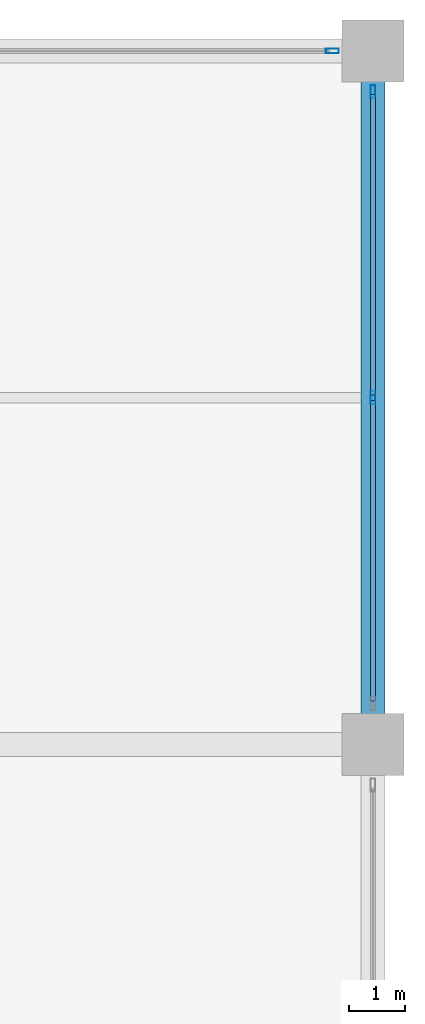
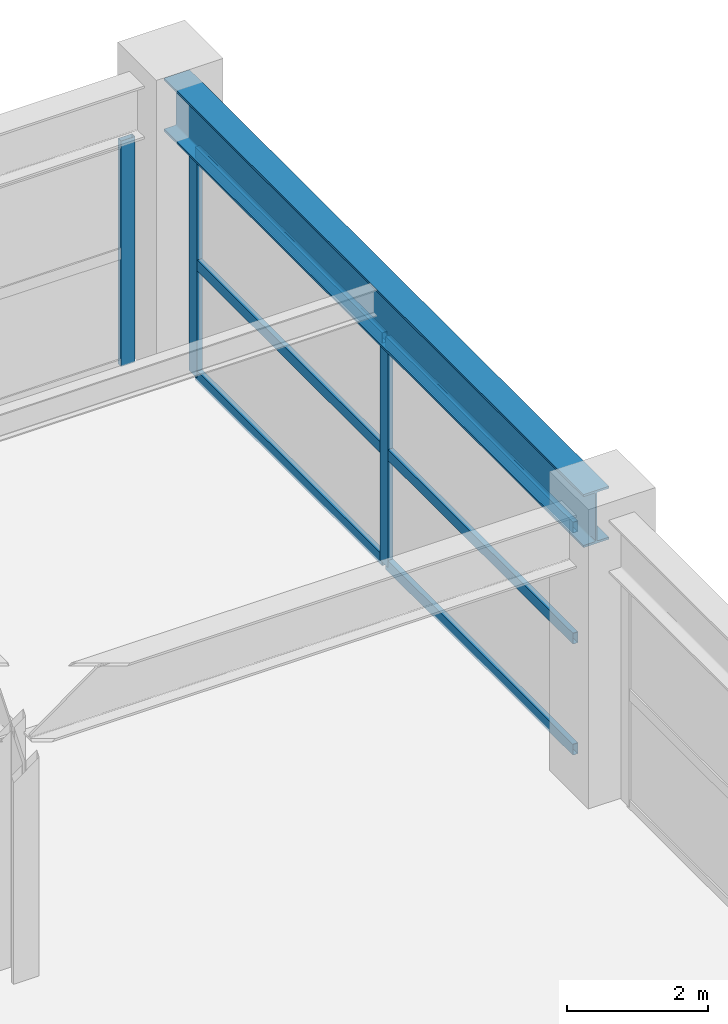
# One storey, part 34 of 45: 9 members, 1 beam, 2 elements without a shape of their own.
"""IFC4 building model written with IfcOpenShell, lengths in metres."""

import ifcopenshell
import ifcopenshell.guid

model = None  # the IFC model being written
_history = None  # IfcOwnerHistory: only IFC2X3 demands one
_inside = {}  # id of a spatial element -> (the spatial element, [elements in it])
_under = {}  # id of a project, library or spatial element -> (it, [spatial elements below it])
_declared = {}  # id of a project -> (the project, [libraries it declares])
_typed = {}  # id of a type object -> (the type object, [elements of that type])
_made_of = {}  # id of a material, layer set ... -> (it, [elements and type objects made of it])


def new_model(schema):
    """Start an empty IFC model of exactly this schema.

    Asked for "IFC4X3", IfcOpenShell would pick the latest addendum, in which some entities
    have other attributes; the version numbers below select the first issue.
    IFC2X3 requires an IfcOwnerHistory on every rooted entity: one is made here for all.
    """
    global model, _history
    if schema == "IFC4X3":
        model = ifcopenshell.file(schema_version=(4, 3, 0, 0))
    else:
        model = ifcopenshell.file(schema=schema)
    _inside.clear()
    _under.clear()
    _declared.clear()
    _typed.clear()
    _made_of.clear()
    _history = None
    if model.schema == "IFC2X3":
        org = make("IfcOrganization", Name="unknown")
        user = make(
            "IfcPersonAndOrganization",
            ThePerson=make("IfcPerson", FamilyName="unknown"),
            TheOrganization=org,
        )
        app = make(
            "IfcApplication",
            ApplicationDeveloper=org,
            Version="unknown",
            ApplicationFullName="unknown",
            ApplicationIdentifier="unknown",
        )
        _history = make(
            "IfcOwnerHistory",
            OwningUser=user,
            OwningApplication=app,
            ChangeAction="ADDED",
            CreationDate=0,
        )
    return model


def make(cls, **values):
    """One entity of the class cls with the attributes given. An attribute that is None is left unset."""
    return model.create_entity(
        cls, **{name: value for name, value in values.items() if value is not None}
    )


def rooted(cls, **values):
    """An entity with a GlobalId (a new one), such as an element, a storey or a relation."""
    return make(cls, GlobalId=ifcopenshell.guid.new(), OwnerHistory=_history, **values)


def si_unit(unit_type, name, prefix=None):
    """IfcSIUnit, for example si_unit("LENGTHUNIT", "METRE", prefix="MILLI")."""
    return make("IfcSIUnit", UnitType=unit_type, Prefix=prefix, Name=name)


def assignment(units):
    """IfcUnitAssignment: the units of a project."""
    return None if units is None else make("IfcUnitAssignment", Units=units)


def point(xyz):
    """IfcCartesianPoint."""
    return None if xyz is None else make("IfcCartesianPoint", Coordinates=xyz)


def direction(xyz):
    """IfcDirection."""
    return None if xyz is None else make("IfcDirection", DirectionRatios=xyz)


def frame(location, z_axis=None, x_axis=None):
    """IfcAxis2Placement3D, a coordinate frame: its origin and axes. An axis left out is left unset."""
    return make(
        "IfcAxis2Placement3D",
        Location=point(location),
        Axis=direction(z_axis),
        RefDirection=direction(x_axis),
    )


def frame_2d(location, x_axis=None):
    """IfcAxis2Placement2D, a coordinate frame in the plane: its origin and x axis."""
    return make(
        "IfcAxis2Placement2D", Location=point(location), RefDirection=direction(x_axis)
    )


def origin():
    """The frame at (0, 0, 0) with its axes left unset."""
    return frame((0.0, 0.0, 0.0))


def origin_2d():
    """The frame at (0, 0) in the plane with its x axis left unset."""
    return frame_2d((0.0, 0.0))


def place(relative_to, where):
    """IfcLocalPlacement: puts the frame where relative to a parent placement (None: the world)."""
    return make(
        "IfcLocalPlacement", PlacementRelTo=relative_to, RelativePlacement=where
    )


def context(
    kind, dimensions, precision=None, world=None, true_north=None, identifier=None
):
    """IfcGeometricRepresentationContext, for example the 3D "Model" context."""
    return make(
        "IfcGeometricRepresentationContext",
        ContextIdentifier=identifier,
        ContextType=kind,
        CoordinateSpaceDimension=dimensions,
        Precision=precision,
        WorldCoordinateSystem=world,
        TrueNorth=true_north,
    )


def subcontext(parent, identifier, kind, view, scale=None):
    """IfcGeometricRepresentationSubContext, for example "Body" below "Model"."""
    return make(
        "IfcGeometricRepresentationSubContext",
        ContextIdentifier=identifier,
        ContextType=kind,
        ParentContext=parent,
        TargetScale=scale,
        TargetView=view,
    )


def project(units=None, contexts=None):
    """IfcProject with its units and contexts."""
    return rooted(
        "IfcProject",
        Name="project",
        RepresentationContexts=contexts,
        UnitsInContext=assignment(units),
    )


def spatial(cls, under=None, at=None, **own):
    """A site, building, storey or space (cls), placed at a placement, below another one or the project."""
    s = rooted(cls, ObjectPlacement=at, **own)
    if under is not None:
        _under.setdefault(under.id(), (under, []))[1].append(s)
    return s


def profile(cls, at=None, kind="AREA", **sizes):
    """A parametric profile (cls). Its sizes go by their IFC names, for example OverallWidth=200.0."""
    return make(cls, ProfileType=kind, Position=at, **sizes)


def hollow_rectangle(**sizes):
    """IfcRectangleHollowProfileDef."""
    return profile("IfcRectangleHollowProfileDef", **sizes)


def i_section(**sizes):
    """IfcIShapeProfileDef."""
    return profile("IfcIShapeProfileDef", **sizes)


def extrude(swept, where, along, depth):
    """IfcExtrudedAreaSolid: the profile swept, set in the frame where, extruded along a direction by depth."""
    return make(
        "IfcExtrudedAreaSolid",
        SweptArea=swept,
        Position=where,
        ExtrudedDirection=direction(along),
        Depth=depth,
    )


def shape(context_of_items, identifier, shape_type, items):
    """IfcShapeRepresentation: the items that make up one representation, for example the "Body"."""
    return make(
        "IfcShapeRepresentation",
        ContextOfItems=context_of_items,
        RepresentationIdentifier=identifier,
        RepresentationType=shape_type,
        Items=items,
    )


def material(Name=None, Category=None):
    """IfcMaterial."""
    return make("IfcMaterial", Name=Name, Category=Category)


def material_profile(
    of_material, cross_section, Name=None, Category=None, Priority=None
):
    """IfcMaterialProfile: a cross section and its material."""
    return make(
        "IfcMaterialProfile",
        Name=Name,
        Material=of_material,
        Profile=cross_section,
        Priority=Priority,
        Category=Category,
    )


def profile_set(profiles, Name=None, composite=None):
    """IfcMaterialProfileSet."""
    return make(
        "IfcMaterialProfileSet",
        Name=Name,
        MaterialProfiles=profiles,
        CompositeProfile=composite,
    )


def made_of(thing, what):
    """Note that an element or type object is made of a material, layer set ...; save() writes the relation."""
    if what is not None:
        _made_of.setdefault(what.id(), (what, []))[1].append(thing)
    return thing


def type_object(cls, material=None, **own):
    """A type object (cls), such as IfcWallType, which elements share."""
    return made_of(rooted(cls, **own), material)


def element(
    cls,
    number,
    at=None,
    inside=None,
    cuts=None,
    type_object=None,
    material=None,
    context=None,
    identifier="Body",
    shape_type=None,
    held_by="IfcProductDefinitionShape",
    body=None,
    shapes=None,
    **own,
):
    """One element of the class cls, such as IfcWall. Its Tag is "e" and its number.

    at: its placement. inside: the storey or other place that contains it. cuts: it is an
    opening in that element (IfcRelVoidsElement). A single representation is given by context,
    identifier, shape_type and body (its items); several are given by shapes. held_by: the class
    of the entity that holds the representations. save() writes the other relations.
    """
    e = rooted(cls, Tag="e%d" % number, ObjectPlacement=at, **own)
    if body is not None:
        shapes = [shape(context, identifier, shape_type, body)]
    if shapes is not None:
        e.Representation = make(held_by, Representations=shapes)
    if inside is not None:
        _inside.setdefault(inside.id(), (inside, []))[1].append(e)
    if cuts is not None:
        rooted(
            "IfcRelVoidsElement", RelatingBuildingElement=cuts, RelatedOpeningElement=e
        )
    if type_object is not None:
        _typed.setdefault(type_object.id(), (type_object, []))[1].append(e)
    return made_of(e, material)


def aggregate(whole, parts):
    """IfcRelAggregates: a whole, such as a stair, and the parts it consists of."""
    return rooted("IfcRelAggregates", RelatingObject=whole, RelatedObjects=parts)


def save(model, path):
    """Write the relations noted so far, then the file.

    IfcRelAggregates (storeys below a building ...), IfcRelContainedInSpatialStructure (elements
    in a storey), IfcRelDefinesByType, IfcRelAssociatesMaterial and IfcRelDeclares: one each for
    every whole, place, type object, material and project.
    """
    for whole, parts in _under.values():
        aggregate(whole, parts)
    for where, things in _inside.values():
        rooted(
            "IfcRelContainedInSpatialStructure",
            RelatedElements=things,
            RelatingStructure=where,
        )
    for kind, things in _typed.values():
        rooted("IfcRelDefinesByType", RelatedObjects=things, RelatingType=kind)
    for what, things in _made_of.values():
        rooted("IfcRelAssociatesMaterial", RelatedObjects=things, RelatingMaterial=what)
    for by, libraries in _declared.values():
        rooted("IfcRelDeclares", RelatingContext=by, RelatedDefinitions=libraries)
    model.write(path)


model = new_model("IFC4")

# Units and contexts
model_context = context("Model", 3, precision=1e-05, world=origin(), true_north=direction((0.0, 1.0)))
body_context = subcontext(model_context, "Body", "Model", "MODEL_VIEW")
ifc_project = project(units=[si_unit("LENGTHUNIT", "METRE"), si_unit("AREAUNIT", "SQUARE_METRE"), si_unit("VOLUMEUNIT", "CUBIC_METRE"), si_unit("PLANEANGLEUNIT", "RADIAN"), si_unit("MASSUNIT", "GRAM", prefix="KILO")], contexts=[model_context])

# Site, building, storey
site_placement = place(None, origin())
site = spatial("IfcSite", under=ifc_project, at=site_placement, CompositionType="ELEMENT")
building_placement = place(site_placement, origin())
building = spatial("IfcBuilding", under=site, at=building_placement, Name="Kovane Verandah Tower", CompositionType="ELEMENT")
storey_placement = place(building_placement, frame((0.0, 0.0, 6.0)))
storey = spatial("IfcBuildingStorey", under=building, at=storey_placement, Name="L01", CompositionType="ELEMENT", Elevation=6.0)

# Beam
ifc_material_1 = material(Name="Steel S460", Category="steel")
ifc_material_profile_1 = material_profile(ifc_material_1, i_section(OverallWidth=0.42041015625, OverallDepth=0.9208984375, WebThickness=0.021484375, FlangeThickness=0.03662109375, FilletRadius=0.024169921875, at=origin_2d()), Name="UB914x419x388")
ifc_profile_set_1 = profile_set([ifc_material_profile_1], Name="Steel S460")
beam_type = type_object("IfcBeamType", Name="BM-UB914x388", PredefinedType="BEAM", material=ifc_profile_set_1)
beam_placement = place(storey_placement, frame((82.0, 44.3798828125, 4.439453125), z_axis=(0.0, 1.0, 0.0), x_axis=(-1.0, 0.0, 0.0)))
element("IfcBeam", 1, at=beam_placement, inside=storey, type_object=beam_type, Name="L01 Podium Grid Girder Y43", PredefinedType="BEAM", context=body_context, shape_type="SweptSolid", body=[
    extrude(i_section(OverallWidth=0.42041015625, OverallDepth=0.9208984375, WebThickness=0.021484375, FlangeThickness=0.03662109375, FilletRadius=0.024169921875, at=origin_2d()), origin(), (0.0, 0.0, 1.0), 11.940185546875),
])

# Curtain wall, member
ifc_material_2 = material(Name="Champagne Anodised Aluminium Frame with Low-E Clear Laminated Glass", Category="aluminium")
curtain_wall_type = type_object("IfcCurtainWallType", Name="CW-SYS-01-POD", PredefinedType="NOTDEFINED", material=ifc_material_2)
curtain_wall_1_placement = place(storey_placement, origin())
curtain_wall_1 = element("IfcCurtainWall", 2, at=curtain_wall_1_placement, inside=storey, type_object=curtain_wall_type, Name="L01 North Podium Curtain Wall Bay 7", PredefinedType="NOTDEFINED")
ifc_material_3 = material(Name="Champagne Anodised Aluminium 6063-T6", Category="aluminium")
ifc_material_profile_2 = material_profile(ifc_material_3, hollow_rectangle(XDim=0.0849609375, YDim=0.22998046875, WallThickness=0.00390625, at=origin_2d()), Name="AL85x230x4")
ifc_profile_set_2 = profile_set([ifc_material_profile_2], Name="Champagne Anodised Aluminium 6063-T6")
member_type_1 = type_object("IfcMemberType", Name="CW-MUL-85x230", PredefinedType="MULLION", material=ifc_profile_set_2)
member_1_placement = place(storey_placement, frame((81.280029296875, 56.5, 0.02001953125), z_axis=(0.0, 0.0, 1.0), x_axis=(0.0, 1.0, 0.0)))
member_1 = element("IfcMember", 3, at=member_1_placement, type_object=member_type_1, Name="L01 North Podium Curtain Wall Bay 7 Mullion 1", PredefinedType="MULLION", context=body_context, shape_type="SweptSolid", body=[
    extrude(hollow_rectangle(XDim=0.0849609375, YDim=0.22998046875, WallThickness=0.00390625, at=origin_2d()), origin(), (0.0, 0.0, 1.0), 3.9189453125),
])
aggregate(curtain_wall_1, [member_1])

# Curtain wall, members
curtain_wall_2_placement = place(storey_placement, origin())
curtain_wall_2 = element("IfcCurtainWall", 4, at=curtain_wall_2_placement, inside=storey, type_object=curtain_wall_type, Name="L01 East Podium Curtain Wall Bay 5", PredefinedType="NOTDEFINED")
member_2_placement = place(storey_placement, frame((82.0, 50.35009765625, 0.02001953125), z_axis=(0.0, 0.0, 1.0), x_axis=(1.0, 0.0, 0.0)))
member_2 = element("IfcMember", 5, at=member_2_placement, type_object=member_type_1, Name="L01 East Podium Curtain Wall Bay 5 Mullion 2", PredefinedType="MULLION", context=body_context, shape_type="SweptSolid", body=[
    extrude(hollow_rectangle(XDim=0.0849609375, YDim=0.22998046875, WallThickness=0.00390625, at=origin_2d()), origin(), (0.0, 0.0, 1.0), 3.9189453125),
])
member_3_placement = place(storey_placement, frame((82.0, 55.780029296875, 0.02001953125), z_axis=(0.0, 0.0, 1.0), x_axis=(1.0, 0.0, 0.0)))
member_3 = element("IfcMember", 6, at=member_3_placement, type_object=member_type_1, Name="L01 East Podium Curtain Wall Bay 5 Mullion 3", PredefinedType="MULLION", context=body_context, shape_type="SweptSolid", body=[
    extrude(hollow_rectangle(XDim=0.0849609375, YDim=0.22998046875, WallThickness=0.00390625, at=origin_2d()), origin(), (0.0, 0.0, 1.0), 3.9189453125),
])
ifc_material_profile_3 = material_profile(ifc_material_3, hollow_rectangle(XDim=0.0849609375, YDim=0.18994140625, WallThickness=0.00390625, at=origin_2d()), Name="AL85x190x4")
ifc_profile_set_3 = profile_set([ifc_material_profile_3], Name="Champagne Anodised Aluminium 6063-T6")
member_type_2 = type_object("IfcMemberType", Name="CW-TRN-85x190", PredefinedType="USERDEFINED", material=ifc_profile_set_3)
member_4_placement = place(storey_placement, frame((82.0, 44.969970703125, 0.050048828125), z_axis=(0.0, 1.0, 0.0), x_axis=(-1.0, 0.0, 0.0)))
member_4 = element("IfcMember", 7, at=member_4_placement, type_object=member_type_2, Name="L01 East Podium Curtain Wall Bay 5 Transom TB Bay 1", ObjectType="TRANSOM", PredefinedType="USERDEFINED", context=body_context, shape_type="SweptSolid", body=[
    extrude(hollow_rectangle(XDim=0.0849609375, YDim=0.18994140625, WallThickness=0.00390625, at=origin_2d()), origin(), (0.0, 0.0, 1.0), 5.330078125),
])
member_5_placement = place(storey_placement, frame((82.0, 44.969970703125, 1.9794921875), z_axis=(0.0, 1.0, 0.0), x_axis=(-1.0, 0.0, 0.0)))
member_5 = element("IfcMember", 8, at=member_5_placement, type_object=member_type_2, Name="L01 East Podium Curtain Wall Bay 5 Transom TM Bay 1", ObjectType="TRANSOM", PredefinedType="USERDEFINED", context=body_context, shape_type="SweptSolid", body=[
    extrude(hollow_rectangle(XDim=0.0849609375, YDim=0.18994140625, WallThickness=0.00390625, at=origin_2d()), origin(), (0.0, 0.0, 1.0), 5.330078125),
])
member_6_placement = place(storey_placement, frame((82.0, 44.969970703125, 3.908935546875), z_axis=(0.0, 1.0, 0.0), x_axis=(-1.0, 0.0, 0.0)))
member_6 = element("IfcMember", 9, at=member_6_placement, type_object=member_type_2, Name="L01 East Podium Curtain Wall Bay 5 Transom TT Bay 1", ObjectType="TRANSOM", PredefinedType="USERDEFINED", context=body_context, shape_type="SweptSolid", body=[
    extrude(hollow_rectangle(XDim=0.0849609375, YDim=0.18994140625, WallThickness=0.00390625, at=origin_2d()), origin(), (0.0, 0.0, 1.0), 5.330078125),
])
member_7_placement = place(storey_placement, frame((82.0, 50.39990234375, 0.050048828125), z_axis=(0.0, 1.0, 0.0), x_axis=(-1.0, 0.0, 0.0)))
member_7 = element("IfcMember", 10, at=member_7_placement, type_object=member_type_2, Name="L01 East Podium Curtain Wall Bay 5 Transom TB Bay 2", ObjectType="TRANSOM", PredefinedType="USERDEFINED", context=body_context, shape_type="SweptSolid", body=[
    extrude(hollow_rectangle(XDim=0.0849609375, YDim=0.18994140625, WallThickness=0.00390625, at=origin_2d()), origin(), (0.0, 0.0, 1.0), 5.330078125),
])
member_8_placement = place(storey_placement, frame((82.0, 50.39990234375, 1.9794921875), z_axis=(0.0, 1.0, 0.0), x_axis=(-1.0, 0.0, 0.0)))
member_8 = element("IfcMember", 11, at=member_8_placement, type_object=member_type_2, Name="L01 East Podium Curtain Wall Bay 5 Transom TM Bay 2", ObjectType="TRANSOM", PredefinedType="USERDEFINED", context=body_context, shape_type="SweptSolid", body=[
    extrude(hollow_rectangle(XDim=0.0849609375, YDim=0.18994140625, WallThickness=0.00390625, at=origin_2d()), origin(), (0.0, 0.0, 1.0), 5.330078125),
])
member_9_placement = place(storey_placement, frame((82.0, 50.39990234375, 3.908935546875), z_axis=(0.0, 1.0, 0.0), x_axis=(-1.0, 0.0, 0.0)))
member_9 = element("IfcMember", 12, at=member_9_placement, type_object=member_type_2, Name="L01 East Podium Curtain Wall Bay 5 Transom TT Bay 2", ObjectType="TRANSOM", PredefinedType="USERDEFINED", context=body_context, shape_type="SweptSolid", body=[
    extrude(hollow_rectangle(XDim=0.0849609375, YDim=0.18994140625, WallThickness=0.00390625, at=origin_2d()), origin(), (0.0, 0.0, 1.0), 5.330078125),
])
aggregate(curtain_wall_2, [member_2, member_3, member_4, member_5, member_6, member_7, member_8, member_9])

save(model, "model.ifc")
